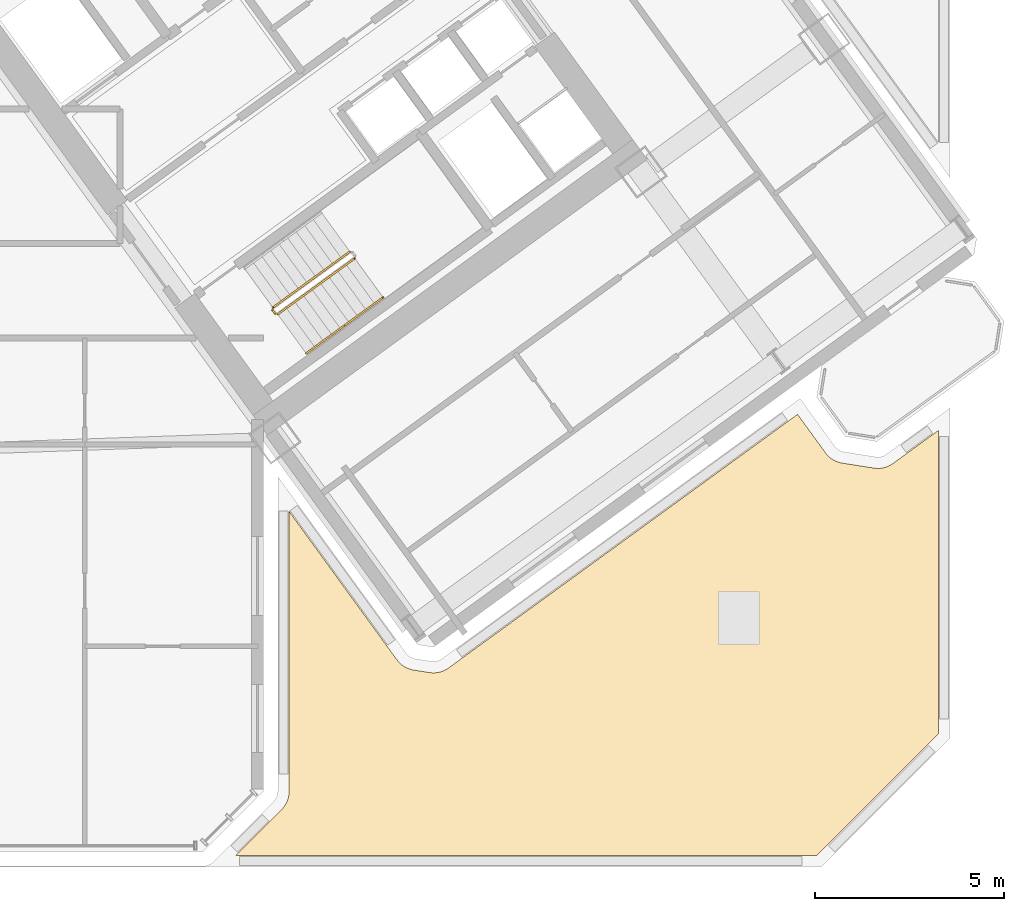
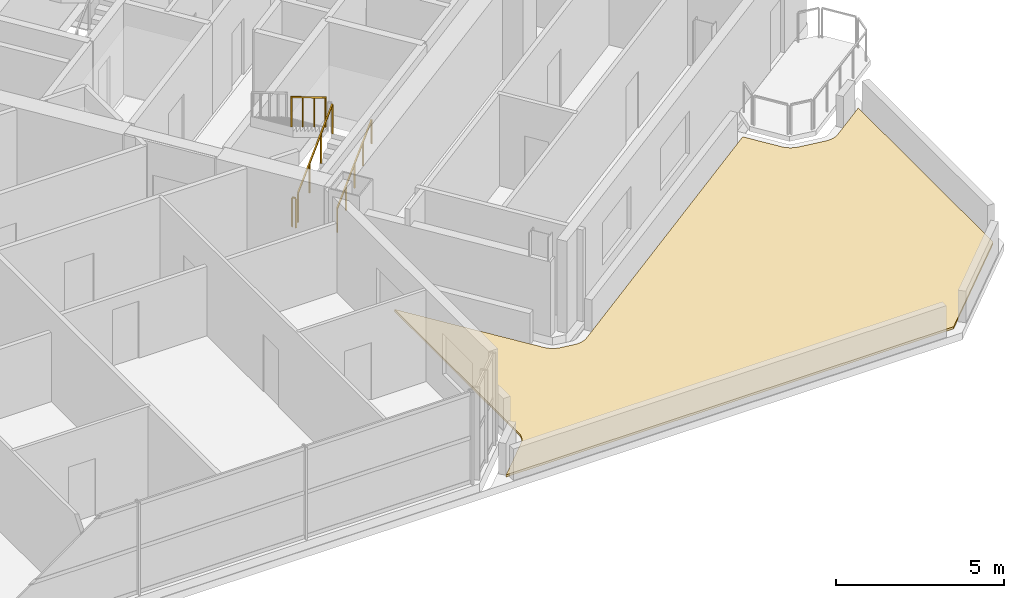
# One storey, part 24 of 28: 5 railings, 1 covering.
"""IFC4 building model written with IfcOpenShell, lengths in metres."""

from ifc_helpers import new_model, si_unit, direction, frame, origin, origin_2d, place, context, subcontext, project, spatial, polyline, rectangle, outline, extrude, source, transform, mapped, material, layer, layer_set, type_object, element, save


model = new_model("IFC4")

# Units and contexts
model_context = context("Model", 3, precision=1e-05, world=origin(), true_north=direction((0.0, 1.0)))
body_context = subcontext(model_context, "Body", "Model", "MODEL_VIEW")
ifc_project = project(units=[si_unit("LENGTHUNIT", "METRE"), si_unit("AREAUNIT", "SQUARE_METRE"), si_unit("VOLUMEUNIT", "CUBIC_METRE"), si_unit("PLANEANGLEUNIT", "RADIAN"), si_unit("MASSUNIT", "GRAM", prefix="KILO")], contexts=[model_context])

# Site, building, storey
site_placement = place(None, origin())
site = spatial("IfcSite", under=ifc_project, at=site_placement, CompositionType="ELEMENT")
building_placement = place(site_placement, origin())
building = spatial("IfcBuilding", under=site, at=building_placement, Name="Tlacorven Tower", CompositionType="ELEMENT")
storey_placement = place(building_placement, frame((0.0, 0.0, 24.0)))
storey = spatial("IfcBuildingStorey", under=building, at=storey_placement, Name="L05", CompositionType="ELEMENT", Elevation=24.0)

# Covering
ifc_material_1 = material(Name="EPDM waterproofing membrane and rigid insulation")
ifc_layer = layer(ifc_material_1, 0.080078125)
ifc_layer_set = layer_set([ifc_layer], Name="EPDM waterproofing membrane and rigid insulation")
covering_type = type_object("IfcCoveringType", Name="CV-ROF-MEMB", PredefinedType="ROOFING", material=ifc_layer_set)
covering_placement = place(storey_placement, origin())
element("IfcCovering", 1, at=covering_placement, inside=storey, type_object=covering_type, Name="L05 Podium Roof Waterproofing Membrane 1.2", PredefinedType="ROOFING", context=body_context, shape_type="SweptSolid", body=[
    extrude(outline(polyline([(51.66162109375, 1.699951171875), (52.880859375, 2.919189453125), (52.890869140625, 2.929931640625), (52.916015625, 2.95751953125), (52.934814453125, 2.980224609375), (52.95703125, 3.01025390625), (52.973388671875, 3.03466796875), (52.992431640625, 3.066650390625), (53.00634765625, 3.092529296875), (53.022216796875, 3.126220703125), (53.033447265625, 3.153564453125), (53.046142578125, 3.188720703125), (53.0546875, 3.216796875), (53.063720703125, 3.2529296875), (53.0693359375, 3.28173828125), (53.074951171875, 3.31884765625), (53.077880859375, 3.34814453125), (53.07958984375, 3.38525390625), (53.080078125, 3.39990234375), (53.080078125, 10.82861328125), (55.9404296875, 6.8916015625), (55.949462890625, 6.8798828125), (55.972900390625, 6.850830078125), (55.992431640625, 6.828857421875), (56.0185546875, 6.80224609375), (56.0400390625, 6.7822265625), (56.068603515625, 6.75830078125), (56.092041015625, 6.740478515625), (56.123046875, 6.719482421875), (56.14794921875, 6.7041015625), (56.1806640625, 6.686279296875), (56.207275390625, 6.67333984375), (56.241455078125, 6.65869140625), (56.269287109375, 6.648681640625), (56.3046875, 6.637451171875), (56.333251953125, 6.6298828125), (56.369873046875, 6.622314453125), (56.38427734375, 6.61962890625), (56.80322265625, 6.55322265625), (56.81787109375, 6.55126953125), (56.85498046875, 6.54736328125), (56.88427734375, 6.545654296875), (56.921630859375, 6.545166015625), (56.951171875, 6.54638671875), (56.98828125, 6.5498046875), (57.017333984375, 6.5537109375), (57.053955078125, 6.560546875), (57.08251953125, 6.567626953125), (57.118408203125, 6.577880859375), (57.146240234375, 6.587646484375), (57.180908203125, 6.6015625), (57.20751953125, 6.61376953125), (57.24072265625, 6.631103515625), (57.26611328125, 6.64599609375), (57.297119140625, 6.66650390625), (57.309326171875, 6.6748046875), (66.564453125, 13.399169921875), (67.30517578125, 12.379638671875), (67.31396484375, 12.367919921875), (67.33740234375, 12.3388671875), (67.35693359375, 12.31689453125), (67.383056640625, 12.290283203125), (67.40478515625, 12.270263671875), (67.433349609375, 12.246337890625), (67.456787109375, 12.228515625), (67.487548828125, 12.20751953125), (67.5126953125, 12.192138671875), (67.54541015625, 12.17431640625), (67.57177734375, 12.161376953125), (67.606201171875, 12.14697265625), (67.6337890625, 12.13671875), (67.66943359375, 12.12548828125), (67.697998046875, 12.1181640625), (67.734375, 12.1103515625), (67.748779296875, 12.107666015625), (68.5869140625, 11.97509765625), (68.6015625, 11.97314453125), (68.638671875, 11.968994140625), (68.66796875, 11.96728515625), (68.705322265625, 11.967041015625), (68.734619140625, 11.968017578125), (68.77197265625, 11.971435546875), (68.801025390625, 11.975341796875), (68.837646484375, 11.982421875), (68.8662109375, 11.9892578125), (68.902099609375, 11.999755859375), (68.929931640625, 12.00927734375), (68.964599609375, 12.023193359375), (68.9912109375, 12.03564453125), (69.024169921875, 12.052978515625), (69.0498046875, 12.06787109375), (69.080810546875, 12.088134765625), (69.093017578125, 12.096435546875), (70.300048828125, 12.973388671875), (70.300048828125, 4.92431640625), (67.07568359375, 1.699951171875), (51.66162109375, 1.699951171875)])), origin(), (0.0, 0.0, 1.0), 0.080078125),
])

# Railings
ifc_material_2 = material(Name="Aluminium and painted steel balustrade", Category="steel")
railing_type_1 = type_object("IfcRailingType", Name="RL-GRD-1100", PredefinedType="GUARDRAIL", material=ifc_material_2)
shared_shape_1 = source(origin(), body_context, "Body", "SweptSolid", [
    extrude(rectangle(XDim=0.048095703125, YDim=0.048095703125, at=origin_2d()), frame((0.0, 0.0, 1.076171875), z_axis=(-0.587567097037, 0.809175448515, 0.0), x_axis=(-0.809175448515, -0.587567097037, 0.0)), (0.0, 0.0, 1.0), 0.1201171875),
    extrude(rectangle(XDim=0.0419921875, YDim=0.0419921875, at=origin_2d()), origin(), (0.0, 0.0, 1.0), 1.052001953125),
    extrude(rectangle(XDim=0.0419921875, YDim=0.0419921875, at=origin_2d()), frame((-0.070556640625, 0.09716796875, 0.0)), (0.0, 0.0, 1.0), 1.052001953125),
])
railing_1_placement = place(storey_placement, frame((52.71142578125, 16.065673828125, 0.0)))
element("IfcRailing", 2, at=railing_1_placement, inside=storey, type_object=railing_type_1, Name="L05 ST-E2 stair guard 4", PredefinedType="GUARDRAIL", context=body_context, shape_type="MappedRepresentation", body=[
    mapped(shared_shape_1, transform((0.0, 0.0, 0.0), scale=1.0)),
])
railing_type_2 = type_object("IfcRailingType", Name="RL-HND-0900", PredefinedType="HANDRAIL", material=ifc_material_2)
shared_shape_2 = source(origin(), body_context, "Body", "SweptSolid", [
    extrude(rectangle(XDim=0.048095703125, YDim=0.048095703125, at=origin_2d()), frame((0.0, 0.0, 0.8759765625), z_axis=(0.680516055757, 0.494372502302, 0.540826891737), x_axis=(-0.587745292299, 0.809046025502, 0.0)), (0.0, 0.0, 1.0), 1.497802734375),
    extrude(rectangle(XDim=0.0419921875, YDim=0.0419921875, at=origin_2d()), origin(), (0.0, 0.0, 1.0), 0.851806640625),
    extrude(rectangle(XDim=0.0419921875, YDim=0.0419921875, at=origin_2d()), frame((0.509765625, 0.3701171875, 0.405029296875)), (0.0, 0.0, 1.0), 0.851806640625),
    extrude(rectangle(XDim=0.0419921875, YDim=0.0419921875, at=origin_2d()), frame((1.019287109375, 0.740478515625, 0.81005859375)), (0.0, 0.0, 1.0), 0.851806640625),
])
railing_2_placement = place(storey_placement, frame((54.552978515625, 15.759765625, 0.989990234375)))
element("IfcRailing", 3, at=railing_2_placement, inside=storey, type_object=railing_type_2, Name="L05 ST-E2 stair handrail 2", PredefinedType="HANDRAIL", context=body_context, shape_type="MappedRepresentation", body=[
    mapped(shared_shape_2, transform((0.0, 0.0, 0.0), scale=1.0)),
])
shared_shape_3 = source(origin(), body_context, "Body", "SweptSolid", [
    extrude(rectangle(XDim=0.048095703125, YDim=0.048095703125, at=origin_2d()), frame((0.0, 0.0, 1.076171875), z_axis=(0.680532390839, 0.494406659708, 0.54077511024), x_axis=(-0.587762637553, 0.809033424462, 0.0)), (0.0, 0.0, 1.0), 2.995849609375),
    extrude(rectangle(XDim=0.0419921875, YDim=0.0419921875, at=origin_2d()), origin(), (0.0, 0.0, 1.0), 1.052001953125),
    extrude(rectangle(XDim=0.0419921875, YDim=0.0419921875, at=origin_2d()), frame((0.6796875, 0.49365234375, 0.5400390625)), (0.0, 0.0, 1.0), 1.052001953125),
    extrude(rectangle(XDim=0.0419921875, YDim=0.0419921875, at=origin_2d()), frame((1.359130859375, 0.987548828125, 1.080078125)), (0.0, 0.0, 1.0), 1.052001953125),
    extrude(rectangle(XDim=0.0419921875, YDim=0.0419921875, at=origin_2d()), frame((2.038818359375, 1.481201171875, 1.6201171875)), (0.0, 0.0, 1.0), 1.052001953125),
])
railing_3_placement = place(storey_placement, frame((52.78125, 16.0546875, 0.179931640625)))
element("IfcRailing", 4, at=railing_3_placement, inside=storey, type_object=railing_type_1, Name="L05 ST-E2 stair guard 1", PredefinedType="GUARDRAIL", context=body_context, shape_type="MappedRepresentation", body=[
    mapped(shared_shape_3, transform((0.0, 0.0, 0.0), scale=1.0)),
])
shared_shape_4 = source(origin(), body_context, "Body", "SweptSolid", [
    extrude(rectangle(XDim=0.048095703125, YDim=0.048095703125, at=origin_2d()), frame((0.0, 0.0, 1.076171875), z_axis=(-0.680532390839, -0.494406659708, 0.54077511024), x_axis=(0.587762637553, -0.809033424462, 0.0)), (0.0, 0.0, 1.0), 2.995849609375),
    extrude(rectangle(XDim=0.0419921875, YDim=0.0419921875, at=origin_2d()), origin(), (0.0, 0.0, 1.0), 1.052001953125),
    extrude(rectangle(XDim=0.0419921875, YDim=0.0419921875, at=origin_2d()), frame((-0.6796875, -0.49365234375, 0.5400390625)), (0.0, 0.0, 1.0), 1.052001953125),
    extrude(rectangle(XDim=0.0419921875, YDim=0.0419921875, at=origin_2d()), frame((-1.359130859375, -0.987548828125, 1.080078125)), (0.0, 0.0, 1.0), 1.052001953125),
    extrude(rectangle(XDim=0.0419921875, YDim=0.0419921875, at=origin_2d()), frame((-2.038818359375, -1.481201171875, 1.6201171875)), (0.0, 0.0, 1.0), 1.052001953125),
])
railing_4_placement = place(storey_placement, frame((54.690673828125, 17.7138671875, 1.97998046875)))
element("IfcRailing", 5, at=railing_4_placement, inside=storey, type_object=railing_type_1, Name="L05 ST-E2 stair guard 3", PredefinedType="GUARDRAIL", context=body_context, shape_type="MappedRepresentation", body=[
    mapped(shared_shape_4, transform((0.0, 0.0, 0.0), scale=1.0)),
])
shared_shape_5 = source(origin(), body_context, "Body", "SweptSolid", [
    extrude(rectangle(XDim=0.048095703125, YDim=0.048095703125, at=origin_2d()), frame((0.0, 0.0, 0.8759765625), z_axis=(0.680461216233, 0.494495647917, 0.540783309093), x_axis=(-0.587872112667, 0.808953879494, 0.0)), (0.0, 0.0, 1.0), 1.498046875),
    extrude(rectangle(XDim=0.0419921875, YDim=0.0419921875, at=origin_2d()), origin(), (0.0, 0.0, 1.0), 0.851806640625),
    extrude(rectangle(XDim=0.0419921875, YDim=0.0419921875, at=origin_2d()), frame((0.509765625, 0.370361328125, 0.405029296875)), (0.0, 0.0, 1.0), 0.851806640625),
    extrude(rectangle(XDim=0.0419921875, YDim=0.0419921875, at=origin_2d()), frame((1.019287109375, 0.74072265625, 0.81005859375)), (0.0, 0.0, 1.0), 0.851806640625),
])
railing_5_placement = place(storey_placement, frame((53.53369140625, 15.01904296875, 0.179931640625)))
element("IfcRailing", 6, at=railing_5_placement, inside=storey, type_object=railing_type_2, Name="L05 ST-E2 stair handrail 1", PredefinedType="HANDRAIL", context=body_context, shape_type="MappedRepresentation", body=[
    mapped(shared_shape_5, transform((0.0, 0.0, 0.0), scale=1.0)),
])

save(model, "model.ifc")
